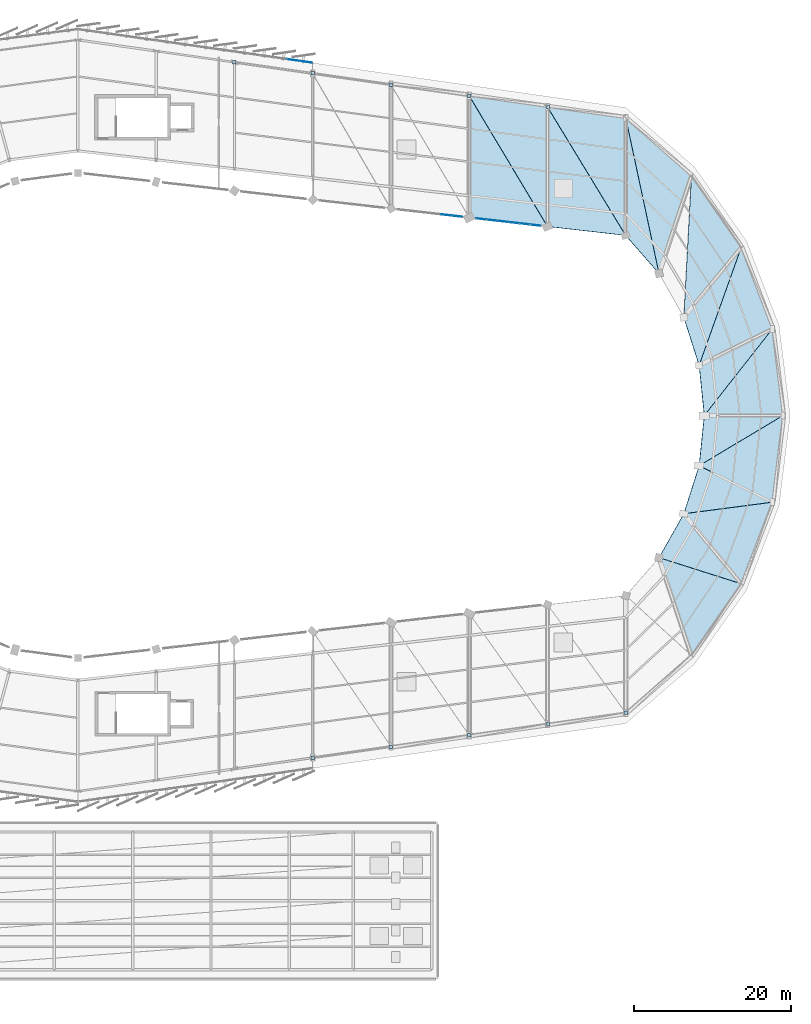
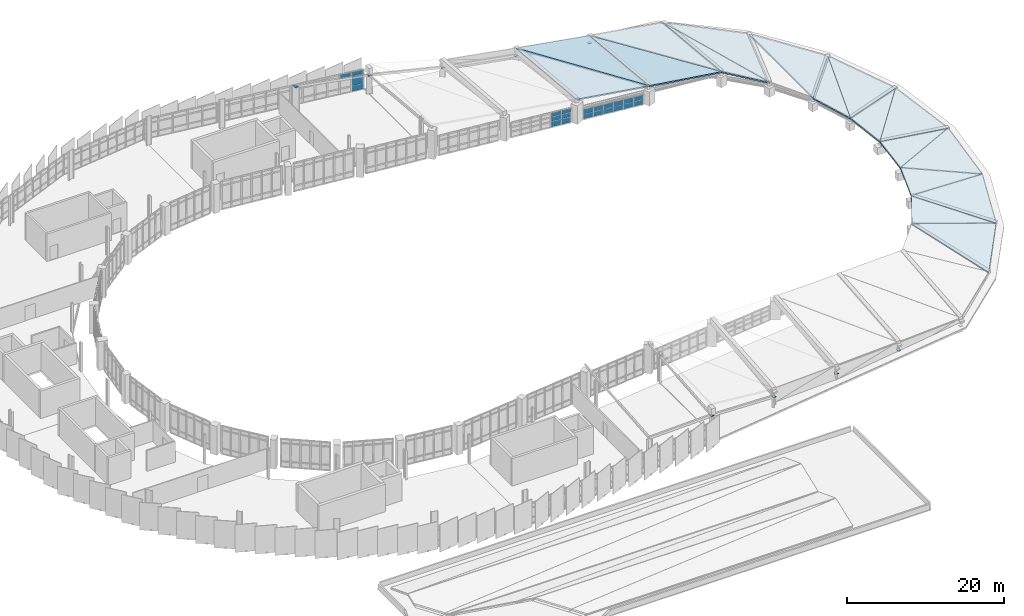
# One storey, part 59 of 67: 32 plates, 17 slabs, 3 elements without a shape of their own.
"""IFC4 building model written with IfcOpenShell, lengths in metres."""

from ifc_helpers import new_model, si_unit, direction, frame, origin, origin_2d, place, context, subcontext, project, spatial, polyline, rectangle, outline, extrude, material, layer, layer_set, type_object, element, aggregate, save


model = new_model("IFC4")

# Units and contexts
model_context = context("Model", 3, precision=1e-05, world=origin(), true_north=direction((0.0, 1.0)))
body_context = subcontext(model_context, "Body", "Model", "MODEL_VIEW")
ifc_project = project(units=[si_unit("LENGTHUNIT", "METRE"), si_unit("AREAUNIT", "SQUARE_METRE"), si_unit("VOLUMEUNIT", "CUBIC_METRE"), si_unit("PLANEANGLEUNIT", "RADIAN"), si_unit("MASSUNIT", "GRAM", prefix="KILO")], contexts=[model_context])

# Site, building, storey
site_placement = place(None, origin())
site = spatial("IfcSite", under=ifc_project, at=site_placement, CompositionType="ELEMENT")
building_placement = place(site_placement, origin())
building = spatial("IfcBuilding", under=site, at=building_placement, Name="Sohan Crest Arena", CompositionType="ELEMENT")
storey_placement = place(building_placement, frame((0.0, 0.0, 22.5)))
storey = spatial("IfcBuildingStorey", under=building, at=storey_placement, Name="L05", CompositionType="ELEMENT", Elevation=22.5)

# Curtain wall, plates
ifc_material_1 = material(Name="Thermally broken anodised aluminium", Category="aluminium")
ifc_layer_1 = layer(ifc_material_1, 0.18994140625, Name="Thermally broken anodised aluminium")
ifc_layer_set_1 = layer_set([ifc_layer_1], Name="Thermally broken anodised aluminium")
curtain_wall_type_1 = type_object("IfcCurtainWallType", Name="ARC-CW05", PredefinedType="NOTDEFINED", material=ifc_layer_set_1)
curtain_wall_1_placement = place(storey_placement, origin())
curtain_wall_1 = element("IfcCurtainWall", 1, at=curtain_wall_1_placement, inside=storey, type_object=curtain_wall_type_1, Name="Unitised curtain wall CW-195", PredefinedType="NOTDEFINED")
ifc_material_2 = material(Name="Ceramic-fritted solar-control insulated glass", Category="glass")
ifc_layer_2 = layer(ifc_material_2, 0.035888671875, Name="Ceramic-fritted solar-control insulated glass")
ifc_layer_set_2 = layer_set([ifc_layer_2], Name="Ceramic-fritted solar-control insulated glass")
plate_type_1 = type_object("IfcPlateType", Name="ARC-CNP03", PredefinedType="CURTAIN_PANEL", material=ifc_layer_set_2)
plate_1_placement = place(storey_placement, frame((156.47021484375, 102.317626953125, 0.06494140625), z_axis=(0.0, 0.0, 1.0), x_axis=(-0.993526932422, 0.11359680696, 0.0)))
plate_1 = element("IfcPlate", 2, at=plate_1_placement, type_object=plate_type_1, Name="CW-195 panel 1.1", PredefinedType="CURTAIN_PANEL", context=body_context, shape_type="SweptSolid", body=[
    extrude(rectangle(XDim=1.299072265625, YDim=0.035888671875, at=origin_2d()), origin(), (0.0, 0.0, 1.0), 0.70458984375),
])
plate_2_placement = place(storey_placement, frame((156.47021484375, 102.317626953125, 0.83447265625), z_axis=(0.0, 0.0, 1.0), x_axis=(-0.993526932422, 0.11359680696, 0.0)))
plate_2 = element("IfcPlate", 3, at=plate_2_placement, type_object=plate_type_1, Name="CW-195 panel 1.2", PredefinedType="CURTAIN_PANEL", context=body_context, shape_type="SweptSolid", body=[
    extrude(rectangle(XDim=1.299072265625, YDim=0.035888671875, at=origin_2d()), origin(), (0.0, 0.0, 1.0), 0.70361328125),
])
plate_3_placement = place(storey_placement, frame((155.092529296875, 102.475341796875, 0.06494140625), z_axis=(0.0, 0.0, 1.0), x_axis=(-0.993526932422, 0.11359680696, 0.0)))
plate_3 = element("IfcPlate", 4, at=plate_3_placement, type_object=plate_type_1, Name="CW-195 panel 2.1", PredefinedType="CURTAIN_PANEL", context=body_context, shape_type="SweptSolid", body=[
    extrude(rectangle(XDim=1.333984375, YDim=0.035888671875, at=origin_2d()), origin(), (0.0, 0.0, 1.0), 0.70458984375),
])
plate_4_placement = place(storey_placement, frame((155.092529296875, 102.475341796875, 0.83447265625), z_axis=(0.0, 0.0, 1.0), x_axis=(-0.993526932422, 0.11359680696, 0.0)))
plate_4 = element("IfcPlate", 5, at=plate_4_placement, type_object=plate_type_1, Name="CW-195 panel 2.2", PredefinedType="CURTAIN_PANEL", context=body_context, shape_type="SweptSolid", body=[
    extrude(rectangle(XDim=1.333984375, YDim=0.035888671875, at=origin_2d()), origin(), (0.0, 0.0, 1.0), 0.70361328125),
])
plate_5_placement = place(storey_placement, frame((153.697509765625, 102.634765625, 0.06494140625), z_axis=(0.0, 0.0, 1.0), x_axis=(-0.993526932422, 0.11359680696, 0.0)))
plate_5 = element("IfcPlate", 6, at=plate_5_placement, type_object=plate_type_1, Name="CW-195 panel 3.1", PredefinedType="CURTAIN_PANEL", context=body_context, shape_type="SweptSolid", body=[
    extrude(rectangle(XDim=1.333984375, YDim=0.035888671875, at=origin_2d()), origin(), (0.0, 0.0, 1.0), 0.70458984375),
])
plate_6_placement = place(storey_placement, frame((153.697509765625, 102.634765625, 0.83447265625), z_axis=(0.0, 0.0, 1.0), x_axis=(-0.993526932422, 0.11359680696, 0.0)))
plate_6 = element("IfcPlate", 7, at=plate_6_placement, type_object=plate_type_1, Name="CW-195 panel 3.2", PredefinedType="CURTAIN_PANEL", context=body_context, shape_type="SweptSolid", body=[
    extrude(rectangle(XDim=1.333984375, YDim=0.035888671875, at=origin_2d()), origin(), (0.0, 0.0, 1.0), 0.70361328125),
])
plate_7_placement = place(storey_placement, frame((152.302490234375, 102.794189453125, 0.06494140625), z_axis=(0.0, 0.0, 1.0), x_axis=(-0.993526932422, 0.11359680696, 0.0)))
plate_7 = element("IfcPlate", 8, at=plate_7_placement, type_object=plate_type_1, Name="CW-195 panel 4.1", PredefinedType="CURTAIN_PANEL", context=body_context, shape_type="SweptSolid", body=[
    extrude(rectangle(XDim=1.333984375, YDim=0.035888671875, at=origin_2d()), origin(), (0.0, 0.0, 1.0), 0.70458984375),
])
plate_8_placement = place(storey_placement, frame((152.302490234375, 102.794189453125, 0.83447265625), z_axis=(0.0, 0.0, 1.0), x_axis=(-0.993526932422, 0.11359680696, 0.0)))
plate_8 = element("IfcPlate", 9, at=plate_8_placement, type_object=plate_type_1, Name="CW-195 panel 4.2", PredefinedType="CURTAIN_PANEL", context=body_context, shape_type="SweptSolid", body=[
    extrude(rectangle(XDim=1.333984375, YDim=0.035888671875, at=origin_2d()), origin(), (0.0, 0.0, 1.0), 0.70361328125),
])
plate_9_placement = place(storey_placement, frame((150.907470703125, 102.953857421875, 0.06494140625), z_axis=(0.0, 0.0, 1.0), x_axis=(-0.993526932422, 0.11359680696, 0.0)))
plate_9 = element("IfcPlate", 10, at=plate_9_placement, type_object=plate_type_1, Name="CW-195 panel 5.1", PredefinedType="CURTAIN_PANEL", context=body_context, shape_type="SweptSolid", body=[
    extrude(rectangle(XDim=1.333984375, YDim=0.035888671875, at=origin_2d()), origin(), (0.0, 0.0, 1.0), 0.70458984375),
])
plate_10_placement = place(storey_placement, frame((150.907470703125, 102.953857421875, 0.83447265625), z_axis=(0.0, 0.0, 1.0), x_axis=(-0.993526932422, 0.11359680696, 0.0)))
plate_10 = element("IfcPlate", 11, at=plate_10_placement, type_object=plate_type_1, Name="CW-195 panel 5.2", PredefinedType="CURTAIN_PANEL", context=body_context, shape_type="SweptSolid", body=[
    extrude(rectangle(XDim=1.333984375, YDim=0.035888671875, at=origin_2d()), origin(), (0.0, 0.0, 1.0), 0.70361328125),
])
plate_11_placement = place(storey_placement, frame((149.52978515625, 103.111328125, 0.06494140625), z_axis=(0.0, 0.0, 1.0), x_axis=(-0.993526932422, 0.11359680696, 0.0)))
plate_11 = element("IfcPlate", 12, at=plate_11_placement, type_object=plate_type_1, Name="CW-195 panel 6.1", PredefinedType="CURTAIN_PANEL", context=body_context, shape_type="SweptSolid", body=[
    extrude(rectangle(XDim=1.299072265625, YDim=0.035888671875, at=origin_2d()), origin(), (0.0, 0.0, 1.0), 0.70458984375),
])
plate_12_placement = place(storey_placement, frame((149.52978515625, 103.111328125, 0.83447265625), z_axis=(0.0, 0.0, 1.0), x_axis=(-0.993526932422, 0.11359680696, 0.0)))
plate_12 = element("IfcPlate", 13, at=plate_12_placement, type_object=plate_type_1, Name="CW-195 panel 6.2", PredefinedType="CURTAIN_PANEL", context=body_context, shape_type="SweptSolid", body=[
    extrude(rectangle(XDim=1.299072265625, YDim=0.035888671875, at=origin_2d()), origin(), (0.0, 0.0, 1.0), 0.70361328125),
])
aggregate(curtain_wall_1, [plate_1, plate_2, plate_3, plate_4, plate_5, plate_6, plate_7, plate_8, plate_9, plate_10, plate_11, plate_12])

curtain_wall_2_placement = place(storey_placement, origin())
curtain_wall_2 = element("IfcCurtainWall", 14, at=curtain_wall_2_placement, inside=storey, type_object=curtain_wall_type_1, Name="Unitised curtain wall CW-196", PredefinedType="NOTDEFINED")
plate_13_placement = place(storey_placement, frame((146.47021484375, 103.460693359375, 0.06494140625), z_axis=(0.0, 0.0, 1.0), x_axis=(-0.993526932422, 0.11359680696, 0.0)))
plate_13 = element("IfcPlate", 15, at=plate_13_placement, type_object=plate_type_1, Name="CW-196 panel 1.1", PredefinedType="CURTAIN_PANEL", context=body_context, shape_type="SweptSolid", body=[
    extrude(rectangle(XDim=1.299072265625, YDim=0.035888671875, at=origin_2d()), origin(), (0.0, 0.0, 1.0), 0.802490234375),
])
plate_14_placement = place(storey_placement, frame((146.47021484375, 103.460693359375, 0.9326171875), z_axis=(0.0, 0.0, 1.0), x_axis=(-0.993526932422, 0.11359680696, 0.0)))
plate_14 = element("IfcPlate", 16, at=plate_14_placement, type_object=plate_type_1, Name="CW-196 panel 1.2", PredefinedType="CURTAIN_PANEL", context=body_context, shape_type="SweptSolid", body=[
    extrude(rectangle(XDim=1.299072265625, YDim=0.035888671875, at=origin_2d()), origin(), (0.0, 0.0, 1.0), 0.64794921875),
])
plate_15_placement = place(storey_placement, frame((146.47021484375, 103.460693359375, 1.6455078125), z_axis=(0.0, 0.0, 1.0), x_axis=(-0.993526932422, 0.11359680696, 0.0)))
plate_15 = element("IfcPlate", 17, at=plate_15_placement, type_object=plate_type_1, Name="CW-196 panel 1.3", PredefinedType="CURTAIN_PANEL", context=body_context, shape_type="SweptSolid", body=[
    extrude(rectangle(XDim=1.299072265625, YDim=0.035888671875, at=origin_2d()), origin(), (0.0, 0.0, 1.0), 0.6025390625),
])
plate_16_placement = place(storey_placement, frame((145.092529296875, 103.6181640625, 0.06494140625), z_axis=(0.0, 0.0, 1.0), x_axis=(-0.993526932422, 0.11359680696, 0.0)))
plate_16 = element("IfcPlate", 18, at=plate_16_placement, type_object=plate_type_1, Name="CW-196 panel 2.1", PredefinedType="CURTAIN_PANEL", context=body_context, shape_type="SweptSolid", body=[
    extrude(rectangle(XDim=1.333984375, YDim=0.035888671875, at=origin_2d()), origin(), (0.0, 0.0, 1.0), 0.802490234375),
])
plate_17_placement = place(storey_placement, frame((145.092529296875, 103.6181640625, 0.9326171875), z_axis=(0.0, 0.0, 1.0), x_axis=(-0.993526932422, 0.11359680696, 0.0)))
plate_17 = element("IfcPlate", 19, at=plate_17_placement, type_object=plate_type_1, Name="CW-196 panel 2.2", PredefinedType="CURTAIN_PANEL", context=body_context, shape_type="SweptSolid", body=[
    extrude(rectangle(XDim=1.333984375, YDim=0.035888671875, at=origin_2d()), origin(), (0.0, 0.0, 1.0), 0.64794921875),
])
plate_18_placement = place(storey_placement, frame((145.092529296875, 103.6181640625, 1.6455078125), z_axis=(0.0, 0.0, 1.0), x_axis=(-0.993526932422, 0.11359680696, 0.0)))
plate_18 = element("IfcPlate", 20, at=plate_18_placement, type_object=plate_type_1, Name="CW-196 panel 2.3", PredefinedType="CURTAIN_PANEL", context=body_context, shape_type="SweptSolid", body=[
    extrude(rectangle(XDim=1.333984375, YDim=0.035888671875, at=origin_2d()), origin(), (0.0, 0.0, 1.0), 0.6025390625),
])
aggregate(curtain_wall_2, [plate_13, plate_14, plate_15, plate_16, plate_17, plate_18])

ifc_layer_3 = layer(ifc_material_1, 0.199951171875, Name="Thermally broken anodised aluminium")
ifc_layer_set_3 = layer_set([ifc_layer_3], Name="Thermally broken anodised aluminium")
curtain_wall_type_2 = type_object("IfcCurtainWallType", Name="ARC-CW02", PredefinedType="NOTDEFINED", material=ifc_layer_set_3)
curtain_wall_3_placement = place(storey_placement, origin())
curtain_wall_3 = element("IfcCurtainWall", 21, at=curtain_wall_3_placement, inside=storey, type_object=curtain_wall_type_2, Name="Unitised curtain wall CW-161", PredefinedType="NOTDEFINED")
ifc_material_3 = material(Name="Insulated polychrome ceramic spandrel panel", Category="masonry")
ifc_layer_4 = layer(ifc_material_3, 0.0419921875, Name="Insulated polychrome ceramic spandrel panel")
ifc_layer_set_4 = layer_set([ifc_layer_4], Name="Insulated polychrome ceramic spandrel panel")
plate_type_2 = type_object("IfcPlateType", Name="ARC-CNP04", PredefinedType="CURTAIN_PANEL", material=ifc_layer_set_4)
plate_19_placement = place(storey_placement, frame((127.148193359375, 123.185791015625, 0.06494140625), z_axis=(0.0, 0.0, 1.0), x_axis=(-0.989943553128, 0.141462933734, 0.0)))
plate_19 = element("IfcPlate", 22, at=plate_19_placement, type_object=plate_type_2, Name="CW-161 panel 1.1", PredefinedType="CURTAIN_PANEL", context=body_context, shape_type="SweptSolid", body=[
    extrude(rectangle(XDim=1.571044921875, YDim=0.0419921875, at=origin_2d()), origin(), (0.0, 0.0, 1.0), 0.802490234375),
])
plate_20_placement = place(storey_placement, frame((127.148193359375, 123.185791015625, 0.932373046875), z_axis=(0.0, 0.0, 1.0), x_axis=(-0.989943553128, 0.141462933734, 0.0)))
plate_20 = element("IfcPlate", 23, at=plate_20_placement, type_object=plate_type_2, Name="CW-161 panel 1.2", PredefinedType="CURTAIN_PANEL", context=body_context, shape_type="SweptSolid", body=[
    extrude(rectangle(XDim=1.571044921875, YDim=0.0419921875, at=origin_2d()), origin(), (0.0, 0.0, 1.0), 1.455078125),
])
plate_21_placement = place(storey_placement, frame((127.148193359375, 123.185791015625, 2.452392578125), z_axis=(0.0, 0.0, 1.0), x_axis=(-0.989943553128, 0.141462933734, 0.0)))
plate_21 = element("IfcPlate", 24, at=plate_21_placement, type_object=plate_type_2, Name="CW-161 panel 1.3", PredefinedType="CURTAIN_PANEL", context=body_context, shape_type="SweptSolid", body=[
    extrude(rectangle(XDim=1.571044921875, YDim=0.0419921875, at=origin_2d()), origin(), (0.0, 0.0, 1.0), 0.6025390625),
])
plate_22_placement = place(storey_placement, frame((125.5, 123.421142578125, 2.452392578125), z_axis=(0.0, 0.0, 1.0), x_axis=(-0.989943553128, 0.141462933734, 0.0)))
plate_22 = element("IfcPlate", 25, at=plate_22_placement, type_object=plate_type_2, Name="CW-161 panel 2.3", PredefinedType="CURTAIN_PANEL", context=body_context, shape_type="SweptSolid", body=[
    extrude(rectangle(XDim=1.608642578125, YDim=0.0419921875, at=origin_2d()), origin(), (0.0, 0.0, 1.0), 0.6025390625),
])
aggregate(curtain_wall_3, [plate_19, plate_20, plate_21, plate_22])

# Slabs
ifc_material_4 = material(Name="Concrete C40/50", Category="concrete")
ifc_layer_5 = layer(ifc_material_4, 0.195068359375, Name="Concrete C40/50")
ifc_layer_set_5 = layer_set([ifc_layer_5], Name="Concrete C40/50")
slab_type = type_object("IfcSlabType", Name="SL-RF02", PredefinedType="ROOF", material=ifc_layer_set_5)
slab_1_placement = place(storey_placement, frame((172.2529296875, 59.8349609375, 1.841064453125), z_axis=(0.127044473524, -0.072955891997, 0.989210361637), x_axis=(0.312665423201, -0.943502699254, -0.109740556019)))
element("IfcSlab", 26, at=slab_1_placement, inside=storey, type_object=slab_type, Name="Sloped roof deck panel RF-SL-089", PredefinedType="ROOF", context=body_context, shape_type="SweptSolid", body=[
    extrude(outline(polyline([(0.0, 0.0), (13.212537137397105, 4.163336342344337e-16), (6.592906589244414, 8.948767846099404), (0.0, 0.0)])), origin(), (0.0, 0.0, -1.0), 0.195068359375),
])
slab_2_placement = place(storey_placement, frame((172.251953125, 59.847900390625, 1.841064453125), z_axis=(0.13419085241, -0.050640488967, 0.989660727728), x_axis=(0.943290796315, -0.299480056995, -0.143227682557)))
element("IfcSlab", 27, at=slab_2_placement, inside=storey, type_object=slab_type, Name="Sloped roof deck panel RF-SL-090", PredefinedType="ROOF", context=body_context, shape_type="SweptSolid", body=[
    extrude(outline(polyline([(0.0, 0.0), (11.115456085058442, -1.6653345369377348e-16), (1.325057322286341, 6.291207309504855), (0.0, 0.0)])), origin(), (0.0, 0.0, -1.0), 0.195068359375),
])
slab_3_placement = place(storey_placement, frame((175.4208984375, 65.449951171875, 1.698974609375), z_axis=(0.139105678606, -0.046510890274, 0.989184688147), x_axis=(0.629490340351, -0.766955356358, -0.124584881743)))
element("IfcSlab", 28, at=slab_3_placement, inside=storey, type_object=slab_type, Name="Sloped roof deck panel RF-SL-091", PredefinedType="ROOF", context=body_context, shape_type="SweptSolid", body=[
    extrude(outline(polyline([(0.0, 0.0), (11.638259406670095, 8.187894806610529e-16), (6.169745842371708, 9.693694946342148), (0.0, 0.0)])), origin(), (0.0, 0.0, -1.0), 0.195068359375),
])
slab_4_placement = place(storey_placement, frame((175.41796875, 65.4599609375, 1.698974609375), z_axis=(0.137409866107, -0.032573277287, 0.989978540325), x_axis=(0.982907424815, 0.128112004155, -0.132213118238)))
element("IfcSlab", 29, at=slab_4_placement, inside=storey, type_object=slab_type, Name="Sloped roof deck panel RF-SL-092", PredefinedType="ROOF", context=body_context, shape_type="SweptSolid", body=[
    extrude(outline(polyline([(0.0, 0.0), (11.48935135180344, -1.5265566588595902e-16), (2.710567461603671, 5.8298795981981355), (0.0, 0.0)])), origin(), (0.0, 0.0, -1.0), 0.195068359375),
])
slab_5_placement = place(storey_placement, frame((177.3759765625, 71.593994140625, 1.6298828125), z_axis=(0.145290512268, -0.016495879492, 0.9892515115), x_axis=(0.886602014094, -0.441598364243, -0.137578171602)))
element("IfcSlab", 30, at=slab_5_placement, inside=storey, type_object=slab_type, Name="Sloped roof deck panel RF-SL-093", PredefinedType="ROOF", context=body_context, shape_type="SweptSolid", body=[
    extrude(outline(polyline([(0.0, 0.0), (10.539107730505435, -5.689893001203927e-16), (6.858334758963915, 10.50393499496596), (0.0, 0.0)])), origin(), (0.0, 0.0, -1.0), 0.195068359375),
])
slab_6_placement = place(storey_placement, frame((177.37109375, 71.60205078125, 1.6298828125), z_axis=(0.143007926385, -0.012561923554, 0.989641819583), x_axis=(0.852374673368, 0.509743177045, -0.116701797998)))
element("IfcSlab", 31, at=slab_6_placement, inside=storey, type_object=slab_type, Name="Sloped roof deck panel RF-SL-094", PredefinedType="ROOF", context=body_context, shape_type="SweptSolid", body=[
    extrude(outline(polyline([(0.0, 0.0), (12.543655818629356, 2.498001805406602e-16), (3.821771375495189, 5.168263994832072), (0.0, 0.0)])), origin(), (0.0, 0.0, -1.0), 0.195068359375),
])
slab_7_placement = place(storey_placement, frame((178.035888671875, 78.007080078125, 1.615966796875), z_axis=(0.143010628063, 0.016217409152, 0.989588275952), x_axis=(0.989718434642, 0.0, -0.143029437983)))
element("IfcSlab", 32, at=slab_7_placement, inside=storey, type_object=slab_type, Name="Sloped roof deck panel RF-SL-095", PredefinedType="ROOF", context=body_context, shape_type="SweptSolid", body=[
    extrude(outline(polyline([(0.0, 0.0), (10.137431792536582, 0.0), (8.80019137559394, 11.049304665698235), (0.0, 0.0)])), origin(), (0.0, 0.0, -1.0), 0.195068359375),
])
slab_8_placement = place(storey_placement, frame((178.028076171875, 78.011962890625, 1.615966796875), z_axis=(0.147030561811, 0.01297715523, 0.989046817565), x_axis=(0.614803289482, 0.782101404406, -0.101657800825)))
element("IfcSlab", 33, at=slab_8_placement, inside=storey, type_object=slab_type, Name="Sloped roof deck panel RF-SL-096", PredefinedType="ROOF", context=body_context, shape_type="SweptSolid", body=[
    extrude(outline(polyline([(0.0, 0.0), (14.126167835637661, 3.608224830031759e-16), (4.594859966208073, 4.494902786242469), (0.0, 0.0)])), origin(), (0.0, 0.0, -1.0), 0.195068359375),
])
slab_9_placement = place(storey_placement, frame((177.373046875, 84.419921875, 1.6298828125), z_axis=(0.131891269274, 0.043751453674, 0.990298189128), x_axis=(0.886582188083, 0.441634645573, -0.137589474902)))
element("IfcSlab", 34, at=slab_9_placement, inside=storey, type_object=slab_type, Name="Sloped roof deck panel RF-SL-097", PredefinedType="ROOF", context=body_context, shape_type="SweptSolid", body=[
    extrude(outline(polyline([(0.0, 0.0), (10.53824191790632, 9.679756995950584e-16), (11.602856524995172, 11.078532433078903), (0.0, 0.0)])), origin(), (0.0, 0.0, -1.0), 0.195068359375),
])
slab_10_placement = place(storey_placement, frame((177.364990234375, 84.4208984375, 1.6298828125), z_axis=(0.150669470966, 0.036815917197, 0.987898425325), x_axis=(0.335102639799, 0.938241737127, -0.086073593583)))
element("IfcSlab", 35, at=slab_10_placement, inside=storey, type_object=slab_type, Name="Sloped roof deck panel RF-SL-098", PredefinedType="ROOF", context=body_context, shape_type="SweptSolid", body=[
    extrude(outline(polyline([(0.0, 0.0), (16.04277592597221, -4.163336342344337e-16), (5.088495190105036, 3.929997462183326), (0.0, 0.0)])), origin(), (0.0, 0.0, -1.0), 0.195068359375),
])
slab_11_placement = place(storey_placement, frame((175.4150390625, 90.56298828125, 1.698974609375), z_axis=(0.11636679245, 0.065492229965, 0.991044669745), x_axis=(0.629427009349, 0.767005995694, -0.12459310764)))
element("IfcSlab", 36, at=slab_11_placement, inside=storey, type_object=slab_type, Name="Sloped roof deck panel RF-SL-099", PredefinedType="ROOF", context=body_context, shape_type="SweptSolid", body=[
    extrude(outline(polyline([(0.0, 0.0), (11.637491024497368, 8.465450562766819e-16), (14.629874956847548, 10.720481416639972), (0.0, 0.0)])), origin(), (0.0, 0.0, -1.0), 0.195068359375),
])
slab_12_placement = place(storey_placement, frame((172.242919921875, 96.176025390625, 1.841064453125), z_axis=(0.098946176098, 0.082544877682, 0.991663247985), x_axis=(0.312732107103, 0.9434808934, -0.109738019739)))
element("IfcSlab", 37, at=slab_12_placement, inside=storey, type_object=slab_type, Name="Sloped roof deck panel RF-SL-101", PredefinedType="ROOF", context=body_context, shape_type="SweptSolid", body=[
    extrude(outline(polyline([(0.0, 0.0), (13.212842507285322, 0.0), (17.496665205659617, 10.275117100667863), (0.0, 0.0)])), origin(), (0.0, 0.0, -1.0), 0.195068359375),
])
slab_13_placement = place(storey_placement, frame((172.237060546875, 96.169921875, 1.841064453125), z_axis=(0.160650369955, 0.095153978163, 0.982413955048), x_axis=(-0.208663091837, 0.976119278135, -0.060422420988)))
element("IfcSlab", 38, at=slab_13_placement, inside=storey, type_object=slab_type, Name="Sloped roof deck panel RF-SL-102", PredefinedType="ROOF", context=body_context, shape_type="SweptSolid", body=[
    extrude(outline(polyline([(0.0, 0.0), (20.29170957886495, 1.3877787807814457e-16), (5.5916230223062895, 3.1795969057297127), (0.0, 0.0)])), origin(), (0.0, 0.0, -1.0), 0.195068359375),
])
slab_14_placement = place(storey_placement, frame((167.992919921875, 101.02099609375, 2.06494140625), z_axis=(0.075286011473, 0.096132558922, 0.992517278233), x_axis=(0.0, 0.9953420779, -0.096406161434)))
element("IfcSlab", 39, at=slab_14_placement, inside=storey, type_object=slab_type, Name="Sloped roof deck panel RF-SL-103", PredefinedType="ROOF", context=body_context, shape_type="SweptSolid", body=[
    extrude(outline(polyline([(0.0, 0.0), (15.040025972492286, -2.7755575615628914e-17), (16.399743613551053, 10.008384453362291), (0.0, 0.0)])), origin(), (0.0, 0.0, -1.0), 0.195068359375),
])
slab_15_placement = place(storey_placement, frame((167.987060546875, 101.011962890625, 2.06494140625), z_axis=(0.072380454604, 0.09438345361, 0.992901220402), x_axis=(-0.519453031554, 0.853403461351, -0.043255984134)))
element("IfcSlab", 40, at=slab_15_placement, inside=storey, type_object=slab_type, Name="Sloped roof deck panel RF-SL-104", PredefinedType="ROOF", context=body_context, shape_type="SweptSolid", body=[
    extrude(outline(polyline([(0.0, 0.0), (19.21247901642348, -1.817990202823694e-15), (6.130346194485776, 7.981360319103044), (0.0, 0.0)])), origin(), (0.0, 0.0, -1.0), 0.195068359375),
])
slab_16_placement = place(storey_placement, frame((157.992919921875, 102.1640625, 2.68408203125), z_axis=(0.083551558959, 0.094300779651, 0.992031501492), x_axis=(0.0, 0.995512354654, -0.094631663466)))
element("IfcSlab", 41, at=slab_16_placement, inside=storey, type_object=slab_type, Name="Sloped roof deck panel RF-SL-105", PredefinedType="ROOF", context=body_context, shape_type="SweptSolid", body=[
    extrude(outline(polyline([(0.0, 0.0), (15.324630883455967, 2.7755575615628914e-17), (16.676561881998232, 10.01499835530221), (0.0, 0.0)])), origin(), (0.0, 0.0, -1.0), 0.195068359375),
])
slab_17_placement = place(storey_placement, frame((157.987060546875, 102.155029296875, 2.68408203125), z_axis=(0.080676165363, 0.092603657975, 0.9924293017), x_axis=(-0.51306015188, 0.85749749588, -0.038305679914)))
element("IfcSlab", 42, at=slab_17_placement, inside=storey, type_object=slab_type, Name="Sloped roof deck panel RF-SL-106", PredefinedType="ROOF", context=body_context, shape_type="SweptSolid", body=[
    extrude(outline(polyline([(0.0, 0.0), (19.45187212881224, -4.579669976578771e-16), (6.071623581265789, 8.033291391802557), (0.0, 0.0)])), origin(), (0.0, 0.0, -1.0), 0.195068359375),
])

# Plates
ifc_material_5 = material(Name="Steel S355", Category="steel")
ifc_layer_6 = layer(ifc_material_5, 0.031982421875, Name="Steel S355")
ifc_layer_set_6 = layer_set([ifc_layer_6], Name="Steel S355")
plate_type_3 = type_object("IfcPlateType", Name="STR-PL-BP01", PredefinedType="USERDEFINED", material=ifc_layer_set_6)
for number, where, z_axis, x_axis, name in (
    (43, (128.0, 34.285888671875, 2.99462890625), (0.0, 0.0, 1.0), (1.0, 0.0, 0.0), "Hollow section end cap plate ECP-0184"),
    (44, (138.0, 35.714111328125, 1.57763671875), (0.0, 0.0, 1.0), (1.0, 0.0, 0.0), "Hollow section end cap plate ECP-0185"),
    (45, (148.0, 37.14306640625, 0.810546875), (0.0, 0.0, 1.0), (1.0, 0.0, 0.0), "Hollow section end cap plate ECP-0186"),
    (46, (158.0, 38.571044921875, 0.10546875), (0.0, 0.0, 1.0), (1.0, 0.0, 0.0), "Hollow section end cap plate ECP-0187"),
    (47, (168.0, 40.0, -0.513427734375), (0.0, 0.0, 1.0), (1.0, 0.0, 0.0), "Hollow section end cap plate ECP-0188"),
    (48, (158.0, 117.428955078125, 0.10546875), (0.0, 0.0, 1.0), (1.0, 0.0, 0.0), "Hollow section end cap plate ECP-0197"),
    (49, (148.0, 118.85693359375, 0.810546875), (0.0, 0.0, 1.0), (1.0, 0.0, 0.0), "Hollow section end cap plate ECP-0198"),
    (50, (138.0, 120.285888671875, 1.57763671875), (0.0, 0.0, 1.0), (1.0, 0.0, 0.0), "Hollow section end cap plate ECP-0199"),
    (51, (128.0, 121.714111328125, 2.99462890625), (0.0, 0.0, 1.0), (1.0, 0.0, 0.0), "Hollow section end cap plate ECP-0200"),
    (52, (118.0, 123.14306640625, 3.8544921875), (0.0, 0.0, 1.0), (1.0, 0.0, 0.0), "Hollow section end cap plate ECP-0201"),
):
    element("IfcPlate", number, at=place(storey_placement, frame(where, z_axis=z_axis, x_axis=x_axis)), inside=storey, type_object=plate_type_3, Name=name, ObjectType="BASE PLATE", PredefinedType="USERDEFINED", context=body_context, shape_type="SweptSolid", body=[
        extrude(rectangle(XDim=0.449951171875, YDim=0.449951171875, at=origin_2d()), origin(), (0.0, 0.0, 1.0), 0.02490234375),
    ])

save(model, "model.ifc")
